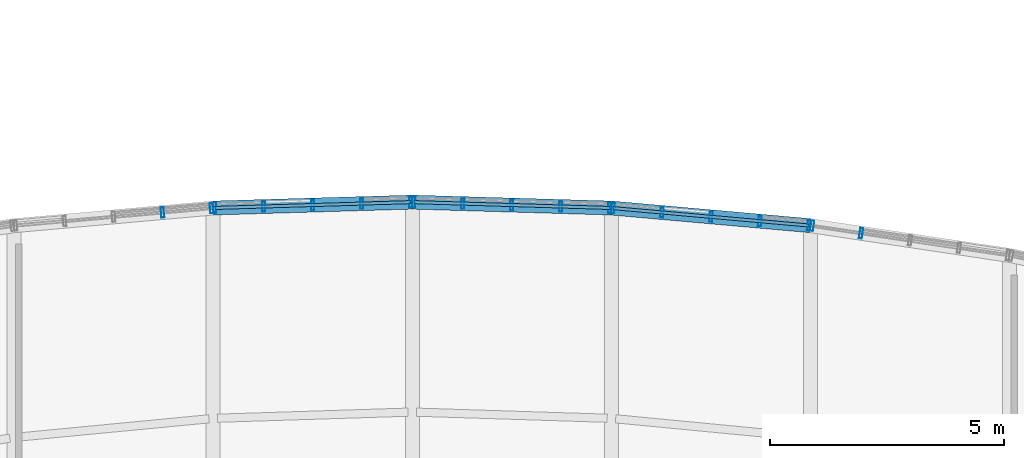
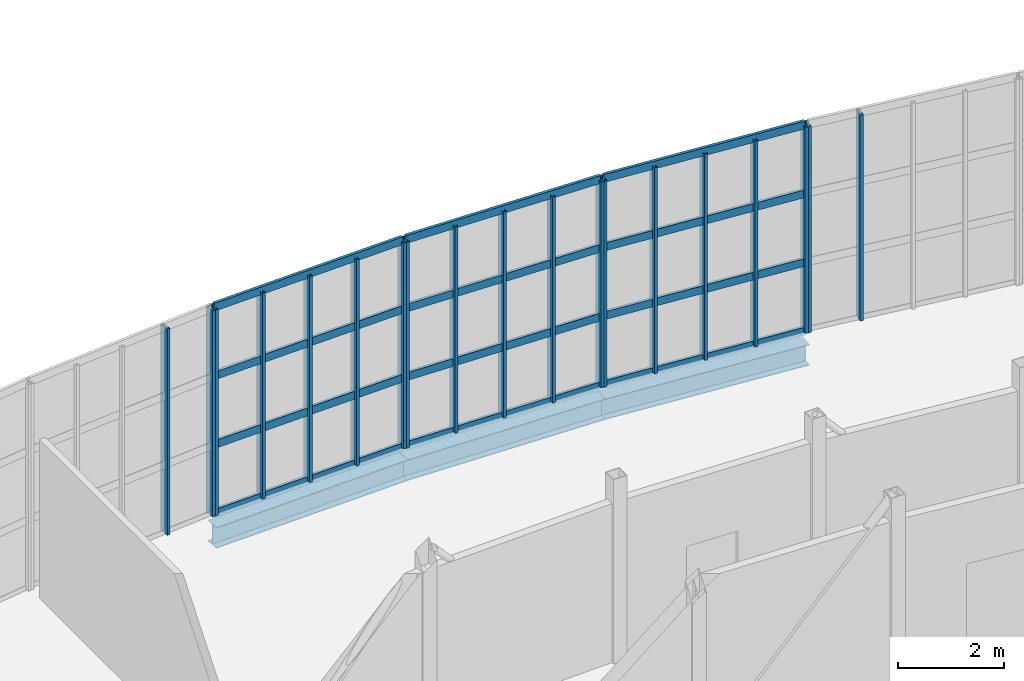
# One storey, part 27 of 66: 31 members, 3 beams, 5 elements without a shape of their own.
"""IFC4 building model written with IfcOpenShell, lengths in metres."""

from ifc_helpers import new_model, si_unit, direction, frame, origin, origin_2d, place, context, subcontext, project, spatial, hollow_rectangle, i_section, extrude, material, material_profile, profile_set, type_object, element, aggregate, save


model = new_model("IFC4")

# Units and contexts
model_context = context("Model", 3, precision=1e-05, world=origin(), true_north=direction((0.0, 1.0)))
body_context = subcontext(model_context, "Body", "Model", "MODEL_VIEW")
ifc_project = project(units=[si_unit("LENGTHUNIT", "METRE"), si_unit("AREAUNIT", "SQUARE_METRE"), si_unit("VOLUMEUNIT", "CUBIC_METRE"), si_unit("PLANEANGLEUNIT", "RADIAN"), si_unit("MASSUNIT", "GRAM", prefix="KILO")], contexts=[model_context])

# Site, building, storey
site_placement = place(None, origin())
site = spatial("IfcSite", under=ifc_project, at=site_placement, CompositionType="ELEMENT")
building_placement = place(site_placement, origin())
building = spatial("IfcBuilding", under=site, at=building_placement, Name="Solvikara Media Centre", CompositionType="ELEMENT")
storey_placement = place(building_placement, frame((0.0, 0.0, 19.800048828125)))
storey = spatial("IfcBuildingStorey", under=building, at=storey_placement, Name="L04", CompositionType="ELEMENT", Elevation=19.800048828125)

# Beams
ifc_material_1 = material(Name="Steel S355JR", Category="steel")
ifc_material_profile_1 = material_profile(ifc_material_1, i_section(OverallWidth=0.300048828125, OverallDepth=0.48193359375, WebThickness=0.010986328125, FlangeThickness=0.014892578125, at=origin_2d()), Name="WF 482x300x11x15")
ifc_profile_set_1 = profile_set([ifc_material_profile_1], Name="Steel S355JR")
beam_type = type_object("IfcBeamType", Name="BM-32", PredefinedType="SPANDREL", material=ifc_profile_set_1)
for number, where, z_axis, x_axis, name in (
    (1, (97.75, 41.341064453125, -0.463134765625), (0.99956097871, 0.029628530849, 0.0), (-0.029628530849, 0.99956097871, 0.0), "B-L04-NARC-05"),
    (2, (102.0, 41.467041015625, -0.463134765625), (0.99956097871, -0.029628530849, 0.0), (0.029628530849, 0.99956097871, 0.0), "B-L04-NARC-06"),
):
    element("IfcBeam", number, at=place(storey_placement, frame(where, z_axis=z_axis, x_axis=x_axis)), inside=storey, type_object=beam_type, Name=name, PredefinedType="SPANDREL", context=body_context, shape_type="SweptSolid", body=[
        extrude(i_section(OverallWidth=0.300048828125, OverallDepth=0.48193359375, WebThickness=0.010986328125, FlangeThickness=0.014892578125, at=origin_2d()), origin(), (0.0, 0.0, 1.0), 4.251953125),
    ])
beam_placement = place(storey_placement, frame((106.25, 41.341064453125, -0.463134765625), z_axis=(0.996089667749, -0.088348026597, 0.0), x_axis=(0.088348026597, 0.996089667749, 0.0)))
element("IfcBeam", 3, at=beam_placement, inside=storey, type_object=beam_type, Name="B-L04-NARC-07", PredefinedType="SPANDREL", context=body_context, shape_type="SweptSolid", body=[
    extrude(i_section(OverallWidth=0.300048828125, OverallDepth=0.48193359375, WebThickness=0.010986328125, FlangeThickness=0.014892578125, at=origin_2d()), origin(), (0.0, 0.0, 1.0), 4.2666015625),
])

# Curtain wall, members
ifc_material_2 = material(Name="Anodised aluminium EN AW-6063", Category="aluminium")
curtain_wall_type = type_object("IfcCurtainWallType", Name="CW-02", PredefinedType="NOTDEFINED", material=ifc_material_2)
curtain_wall_1_placement = place(storey_placement, origin())
curtain_wall_1 = element("IfcCurtainWall", 4, at=curtain_wall_1_placement, inside=storey, type_object=curtain_wall_type, Name="CW-L04-NARC-04", PredefinedType="NOTDEFINED")
ifc_material_profile_2 = material_profile(ifc_material_2, hollow_rectangle(XDim=0.06494140625, YDim=0.219970703125, WallThickness=0.00390625, at=origin_2d()), Name="ALU-M 65x220x4")
ifc_profile_set_2 = profile_set([ifc_material_profile_2], Name="Anodised aluminium EN AW-6063")
member_type_1 = type_object("IfcMemberType", Name="MF-01", PredefinedType="MULLION", material=ifc_profile_set_2)
member_1_placement = place(storey_placement, frame((96.669921875, 41.2451171875, 0.02001953125), z_axis=(0.0, 0.0, 1.0), x_axis=(0.99608438842, 0.088407528781, 0.0)))
member_1 = element("IfcMember", 5, at=member_1_placement, type_object=member_type_1, Name="CW-L04-NARC-04-M03", PredefinedType="MULLION", context=body_context, shape_type="SweptSolid", body=[
    extrude(hollow_rectangle(XDim=0.06494140625, YDim=0.219970703125, WallThickness=0.00390625, at=origin_2d()), origin(), (0.0, 0.0, 1.0), 4.760009765625),
])
member_2_placement = place(storey_placement, frame((97.715087890625, 41.337890625, 0.02001953125), z_axis=(0.0, 0.0, 1.0), x_axis=(0.99608438842, 0.088407528781, 0.0)))
member_2 = element("IfcMember", 6, at=member_2_placement, type_object=member_type_1, Name="CW-L04-NARC-04-M04", PredefinedType="MULLION", context=body_context, shape_type="SweptSolid", body=[
    extrude(hollow_rectangle(XDim=0.06494140625, YDim=0.219970703125, WallThickness=0.00390625, at=origin_2d()), origin(), (0.0, 0.0, 1.0), 4.760009765625),
])
aggregate(curtain_wall_1, [member_1, member_2])

curtain_wall_2_placement = place(storey_placement, origin())
curtain_wall_2 = element("IfcCurtainWall", 7, at=curtain_wall_2_placement, inside=storey, type_object=curtain_wall_type, Name="CW-L04-NARC-05", PredefinedType="NOTDEFINED")
member_3_placement = place(storey_placement, frame((97.784912109375, 41.342041015625, 0.02001953125), z_axis=(0.0, 0.0, 1.0), x_axis=(0.999560377741, 0.02964879847, 0.0)))
member_3 = element("IfcMember", 8, at=member_3_placement, type_object=member_type_1, Name="CW-L04-NARC-05-M00", PredefinedType="MULLION", context=body_context, shape_type="SweptSolid", body=[
    extrude(hollow_rectangle(XDim=0.06494140625, YDim=0.219970703125, WallThickness=0.00390625, at=origin_2d()), origin(), (0.0, 0.0, 1.0), 4.760009765625),
])
member_4_placement = place(storey_placement, frame((98.830078125, 41.373046875, 0.02001953125), z_axis=(0.0, 0.0, 1.0), x_axis=(0.999560377741, 0.02964879847, 0.0)))
member_4 = element("IfcMember", 9, at=member_4_placement, type_object=member_type_1, Name="CW-L04-NARC-05-M01", PredefinedType="MULLION", context=body_context, shape_type="SweptSolid", body=[
    extrude(hollow_rectangle(XDim=0.06494140625, YDim=0.219970703125, WallThickness=0.00390625, at=origin_2d()), origin(), (0.0, 0.0, 1.0), 4.760009765625),
])
member_5_placement = place(storey_placement, frame((99.875, 41.404052734375, 0.02001953125), z_axis=(0.0, 0.0, 1.0), x_axis=(0.999560377741, 0.02964879847, 0.0)))
member_5 = element("IfcMember", 10, at=member_5_placement, type_object=member_type_1, Name="CW-L04-NARC-05-M02", PredefinedType="MULLION", context=body_context, shape_type="SweptSolid", body=[
    extrude(hollow_rectangle(XDim=0.06494140625, YDim=0.219970703125, WallThickness=0.00390625, at=origin_2d()), origin(), (0.0, 0.0, 1.0), 4.760009765625),
])
member_6_placement = place(storey_placement, frame((100.919921875, 41.43505859375, 0.02001953125), z_axis=(0.0, 0.0, 1.0), x_axis=(0.999560377741, 0.02964879847, 0.0)))
member_6 = element("IfcMember", 11, at=member_6_placement, type_object=member_type_1, Name="CW-L04-NARC-05-M03", PredefinedType="MULLION", context=body_context, shape_type="SweptSolid", body=[
    extrude(hollow_rectangle(XDim=0.06494140625, YDim=0.219970703125, WallThickness=0.00390625, at=origin_2d()), origin(), (0.0, 0.0, 1.0), 4.760009765625),
])
member_7_placement = place(storey_placement, frame((101.965087890625, 41.466064453125, 0.02001953125), z_axis=(0.0, 0.0, 1.0), x_axis=(0.999560377741, 0.02964879847, 0.0)))
member_7 = element("IfcMember", 12, at=member_7_placement, type_object=member_type_1, Name="CW-L04-NARC-05-M04", PredefinedType="MULLION", context=body_context, shape_type="SweptSolid", body=[
    extrude(hollow_rectangle(XDim=0.06494140625, YDim=0.219970703125, WallThickness=0.00390625, at=origin_2d()), origin(), (0.0, 0.0, 1.0), 4.760009765625),
])

curtain_wall_3_placement = place(storey_placement, origin())
curtain_wall_3 = element("IfcCurtainWall", 13, at=curtain_wall_3_placement, inside=storey, type_object=curtain_wall_type, Name="CW-L04-NARC-06", PredefinedType="NOTDEFINED")
member_8_placement = place(storey_placement, frame((102.034912109375, 41.466064453125, 0.02001953125), z_axis=(0.0, 0.0, 1.0), x_axis=(0.999560377741, -0.02964879847, 0.0)))
member_8 = element("IfcMember", 14, at=member_8_placement, type_object=member_type_1, Name="CW-L04-NARC-06-M00", PredefinedType="MULLION", context=body_context, shape_type="SweptSolid", body=[
    extrude(hollow_rectangle(XDim=0.06494140625, YDim=0.219970703125, WallThickness=0.00390625, at=origin_2d()), origin(), (0.0, 0.0, 1.0), 4.760009765625),
])
member_9_placement = place(storey_placement, frame((103.080078125, 41.43505859375, 0.02001953125), z_axis=(0.0, 0.0, 1.0), x_axis=(0.999560377741, -0.02964879847, 0.0)))
member_9 = element("IfcMember", 15, at=member_9_placement, type_object=member_type_1, Name="CW-L04-NARC-06-M01", PredefinedType="MULLION", context=body_context, shape_type="SweptSolid", body=[
    extrude(hollow_rectangle(XDim=0.06494140625, YDim=0.219970703125, WallThickness=0.00390625, at=origin_2d()), origin(), (0.0, 0.0, 1.0), 4.760009765625),
])
member_10_placement = place(storey_placement, frame((104.125, 41.404052734375, 0.02001953125), z_axis=(0.0, 0.0, 1.0), x_axis=(0.999560377741, -0.02964879847, 0.0)))
member_10 = element("IfcMember", 16, at=member_10_placement, type_object=member_type_1, Name="CW-L04-NARC-06-M02", PredefinedType="MULLION", context=body_context, shape_type="SweptSolid", body=[
    extrude(hollow_rectangle(XDim=0.06494140625, YDim=0.219970703125, WallThickness=0.00390625, at=origin_2d()), origin(), (0.0, 0.0, 1.0), 4.760009765625),
])
member_11_placement = place(storey_placement, frame((105.169921875, 41.373046875, 0.02001953125), z_axis=(0.0, 0.0, 1.0), x_axis=(0.999560377741, -0.02964879847, 0.0)))
member_11 = element("IfcMember", 17, at=member_11_placement, type_object=member_type_1, Name="CW-L04-NARC-06-M03", PredefinedType="MULLION", context=body_context, shape_type="SweptSolid", body=[
    extrude(hollow_rectangle(XDim=0.06494140625, YDim=0.219970703125, WallThickness=0.00390625, at=origin_2d()), origin(), (0.0, 0.0, 1.0), 4.760009765625),
])
member_12_placement = place(storey_placement, frame((106.215087890625, 41.342041015625, 0.02001953125), z_axis=(0.0, 0.0, 1.0), x_axis=(0.999560377741, -0.02964879847, 0.0)))
member_12 = element("IfcMember", 18, at=member_12_placement, type_object=member_type_1, Name="CW-L04-NARC-06-M04", PredefinedType="MULLION", context=body_context, shape_type="SweptSolid", body=[
    extrude(hollow_rectangle(XDim=0.06494140625, YDim=0.219970703125, WallThickness=0.00390625, at=origin_2d()), origin(), (0.0, 0.0, 1.0), 4.760009765625),
])

curtain_wall_4_placement = place(storey_placement, origin())
curtain_wall_4 = element("IfcCurtainWall", 19, at=curtain_wall_4_placement, inside=storey, type_object=curtain_wall_type, Name="CW-L04-NARC-07", PredefinedType="NOTDEFINED")
member_13_placement = place(storey_placement, frame((106.284912109375, 41.337890625, 0.02001953125), z_axis=(0.0, 0.0, 1.0), x_axis=(0.99608438842, -0.088407528781, 0.0)))
member_13 = element("IfcMember", 20, at=member_13_placement, type_object=member_type_1, Name="CW-L04-NARC-07-M00", PredefinedType="MULLION", context=body_context, shape_type="SweptSolid", body=[
    extrude(hollow_rectangle(XDim=0.06494140625, YDim=0.219970703125, WallThickness=0.00390625, at=origin_2d()), origin(), (0.0, 0.0, 1.0), 4.760009765625),
])
member_14_placement = place(storey_placement, frame((107.330078125, 41.2451171875, 0.02001953125), z_axis=(0.0, 0.0, 1.0), x_axis=(0.99608438842, -0.088407528781, 0.0)))
member_14 = element("IfcMember", 21, at=member_14_placement, type_object=member_type_1, Name="CW-L04-NARC-07-M01", PredefinedType="MULLION", context=body_context, shape_type="SweptSolid", body=[
    extrude(hollow_rectangle(XDim=0.06494140625, YDim=0.219970703125, WallThickness=0.00390625, at=origin_2d()), origin(), (0.0, 0.0, 1.0), 4.760009765625),
])
member_15_placement = place(storey_placement, frame((108.375, 41.153076171875, 0.02001953125), z_axis=(0.0, 0.0, 1.0), x_axis=(0.99608438842, -0.088407528781, 0.0)))
member_15 = element("IfcMember", 22, at=member_15_placement, type_object=member_type_1, Name="CW-L04-NARC-07-M02", PredefinedType="MULLION", context=body_context, shape_type="SweptSolid", body=[
    extrude(hollow_rectangle(XDim=0.06494140625, YDim=0.219970703125, WallThickness=0.00390625, at=origin_2d()), origin(), (0.0, 0.0, 1.0), 4.760009765625),
])
member_16_placement = place(storey_placement, frame((109.419921875, 41.06005859375, 0.02001953125), z_axis=(0.0, 0.0, 1.0), x_axis=(0.99608438842, -0.088407528781, 0.0)))
member_16 = element("IfcMember", 23, at=member_16_placement, type_object=member_type_1, Name="CW-L04-NARC-07-M03", PredefinedType="MULLION", context=body_context, shape_type="SweptSolid", body=[
    extrude(hollow_rectangle(XDim=0.06494140625, YDim=0.219970703125, WallThickness=0.00390625, at=origin_2d()), origin(), (0.0, 0.0, 1.0), 4.760009765625),
])
member_17_placement = place(storey_placement, frame((110.465087890625, 40.967041015625, 0.02001953125), z_axis=(0.0, 0.0, 1.0), x_axis=(0.99608438842, -0.088407528781, 0.0)))
member_17 = element("IfcMember", 24, at=member_17_placement, type_object=member_type_1, Name="CW-L04-NARC-07-M04", PredefinedType="MULLION", context=body_context, shape_type="SweptSolid", body=[
    extrude(hollow_rectangle(XDim=0.06494140625, YDim=0.219970703125, WallThickness=0.00390625, at=origin_2d()), origin(), (0.0, 0.0, 1.0), 4.760009765625),
])

curtain_wall_5_placement = place(storey_placement, origin())
curtain_wall_5 = element("IfcCurtainWall", 25, at=curtain_wall_5_placement, inside=storey, type_object=curtain_wall_type, Name="CW-L04-NARC-08", PredefinedType="NOTDEFINED")
member_18_placement = place(storey_placement, frame((110.534912109375, 40.958984375, 0.02001953125), z_axis=(0.0, 0.0, 1.0), x_axis=(0.989005541908, -0.147878457102, 0.0)))
member_18 = element("IfcMember", 26, at=member_18_placement, type_object=member_type_1, Name="CW-L04-NARC-08-M00", PredefinedType="MULLION", context=body_context, shape_type="SweptSolid", body=[
    extrude(hollow_rectangle(XDim=0.06494140625, YDim=0.219970703125, WallThickness=0.00390625, at=origin_2d()), origin(), (0.0, 0.0, 1.0), 4.760009765625),
])
member_19_placement = place(storey_placement, frame((111.580078125, 40.802978515625, 0.02001953125), z_axis=(0.0, 0.0, 1.0), x_axis=(0.989005541908, -0.147878457102, 0.0)))
member_19 = element("IfcMember", 27, at=member_19_placement, type_object=member_type_1, Name="CW-L04-NARC-08-M01", PredefinedType="MULLION", context=body_context, shape_type="SweptSolid", body=[
    extrude(hollow_rectangle(XDim=0.06494140625, YDim=0.219970703125, WallThickness=0.00390625, at=origin_2d()), origin(), (0.0, 0.0, 1.0), 4.760009765625),
])
aggregate(curtain_wall_5, [member_18, member_19])

# Member
ifc_material_profile_3 = material_profile(ifc_material_2, hollow_rectangle(XDim=0.06494140625, YDim=0.179931640625, WallThickness=0.00341796875, at=origin_2d()), Name="ALU-T 65x180x3.5")
ifc_profile_set_3 = profile_set([ifc_material_profile_3], Name="Anodised aluminium EN AW-6063")
member_type_2 = type_object("IfcMemberType", Name="MF-07", PredefinedType="USERDEFINED", material=ifc_profile_set_3)
member_20_placement = place(storey_placement, frame((97.784912109375, 41.342041015625, 0.02001953125), z_axis=(0.999560152797, 0.029656381125, 0.0), x_axis=(-0.029656381125, 0.999560152797, 0.0)))
member_20 = element("IfcMember", 28, at=member_20_placement, type_object=member_type_2, Name="CW-L04-NARC-05-T00", ObjectType="TRANSOM", PredefinedType="USERDEFINED", context=body_context, shape_type="SweptSolid", body=[
    extrude(hollow_rectangle(XDim=0.06494140625, YDim=0.179931640625, WallThickness=0.00341796875, at=origin_2d()), origin(), (0.0, 0.0, 1.0), 4.18212890625),
])

member_21_placement = place(storey_placement, frame((97.784912109375, 41.342041015625, 1.60693359375), z_axis=(0.999560152797, 0.029656381125, 0.0), x_axis=(-0.029656381125, 0.999560152797, 0.0)))
member_21 = element("IfcMember", 29, at=member_21_placement, type_object=member_type_2, Name="CW-L04-NARC-05-T01", ObjectType="TRANSOM", PredefinedType="USERDEFINED", context=body_context, shape_type="SweptSolid", body=[
    extrude(hollow_rectangle(XDim=0.06494140625, YDim=0.179931640625, WallThickness=0.00341796875, at=origin_2d()), origin(), (0.0, 0.0, 1.0), 4.18212890625),
])

member_22_placement = place(storey_placement, frame((97.784912109375, 41.342041015625, 3.19287109375), z_axis=(0.999560152797, 0.029656381125, 0.0), x_axis=(-0.029656381125, 0.999560152797, 0.0)))
member_22 = element("IfcMember", 30, at=member_22_placement, type_object=member_type_2, Name="CW-L04-NARC-05-T02", ObjectType="TRANSOM", PredefinedType="USERDEFINED", context=body_context, shape_type="SweptSolid", body=[
    extrude(hollow_rectangle(XDim=0.06494140625, YDim=0.179931640625, WallThickness=0.00341796875, at=origin_2d()), origin(), (0.0, 0.0, 1.0), 4.18212890625),
])

member_23_placement = place(storey_placement, frame((97.784912109375, 41.342041015625, 4.780029296875), z_axis=(0.999560152797, 0.029656381125, 0.0), x_axis=(-0.029656381125, 0.999560152797, 0.0)))
member_23 = element("IfcMember", 31, at=member_23_placement, type_object=member_type_2, Name="CW-L04-NARC-05-T03", ObjectType="TRANSOM", PredefinedType="USERDEFINED", context=body_context, shape_type="SweptSolid", body=[
    extrude(hollow_rectangle(XDim=0.06494140625, YDim=0.179931640625, WallThickness=0.00341796875, at=origin_2d()), origin(), (0.0, 0.0, 1.0), 4.18212890625),
])

aggregate(curtain_wall_2, [member_3, member_4, member_5, member_6, member_7, member_20, member_21, member_22, member_23])

member_24_placement = place(storey_placement, frame((102.034912109375, 41.466064453125, 0.02001953125), z_axis=(0.999560152797, -0.029656381125, 0.0), x_axis=(0.029656381125, 0.999560152797, 0.0)))
member_24 = element("IfcMember", 32, at=member_24_placement, type_object=member_type_2, Name="CW-L04-NARC-06-T00", ObjectType="TRANSOM", PredefinedType="USERDEFINED", context=body_context, shape_type="SweptSolid", body=[
    extrude(hollow_rectangle(XDim=0.06494140625, YDim=0.179931640625, WallThickness=0.00341796875, at=origin_2d()), origin(), (0.0, 0.0, 1.0), 4.18212890625),
])

member_25_placement = place(storey_placement, frame((102.034912109375, 41.466064453125, 1.60693359375), z_axis=(0.999560152797, -0.029656381125, 0.0), x_axis=(0.029656381125, 0.999560152797, 0.0)))
member_25 = element("IfcMember", 33, at=member_25_placement, type_object=member_type_2, Name="CW-L04-NARC-06-T01", ObjectType="TRANSOM", PredefinedType="USERDEFINED", context=body_context, shape_type="SweptSolid", body=[
    extrude(hollow_rectangle(XDim=0.06494140625, YDim=0.179931640625, WallThickness=0.00341796875, at=origin_2d()), origin(), (0.0, 0.0, 1.0), 4.18212890625),
])

member_26_placement = place(storey_placement, frame((102.034912109375, 41.466064453125, 3.19287109375), z_axis=(0.999560152797, -0.029656381125, 0.0), x_axis=(0.029656381125, 0.999560152797, 0.0)))
member_26 = element("IfcMember", 34, at=member_26_placement, type_object=member_type_2, Name="CW-L04-NARC-06-T02", ObjectType="TRANSOM", PredefinedType="USERDEFINED", context=body_context, shape_type="SweptSolid", body=[
    extrude(hollow_rectangle(XDim=0.06494140625, YDim=0.179931640625, WallThickness=0.00341796875, at=origin_2d()), origin(), (0.0, 0.0, 1.0), 4.18212890625),
])

member_27_placement = place(storey_placement, frame((102.034912109375, 41.466064453125, 4.780029296875), z_axis=(0.999560152797, -0.029656381125, 0.0), x_axis=(0.029656381125, 0.999560152797, 0.0)))
member_27 = element("IfcMember", 35, at=member_27_placement, type_object=member_type_2, Name="CW-L04-NARC-06-T03", ObjectType="TRANSOM", PredefinedType="USERDEFINED", context=body_context, shape_type="SweptSolid", body=[
    extrude(hollow_rectangle(XDim=0.06494140625, YDim=0.179931640625, WallThickness=0.00341796875, at=origin_2d()), origin(), (0.0, 0.0, 1.0), 4.18212890625),
])

aggregate(curtain_wall_3, [member_8, member_9, member_10, member_11, member_12, member_24, member_25, member_26, member_27])

member_28_placement = place(storey_placement, frame((106.284912109375, 41.337890625, 0.02001953125), z_axis=(0.996087790013, -0.08836919478, 0.0), x_axis=(0.08836919478, 0.996087790013, 0.0)))
member_28 = element("IfcMember", 36, at=member_28_placement, type_object=member_type_2, Name="CW-L04-NARC-07-T00", ObjectType="TRANSOM", PredefinedType="USERDEFINED", context=body_context, shape_type="SweptSolid", body=[
    extrude(hollow_rectangle(XDim=0.06494140625, YDim=0.179931640625, WallThickness=0.00341796875, at=origin_2d()), origin(), (0.0, 0.0, 1.0), 4.196533203125),
])

member_29_placement = place(storey_placement, frame((106.284912109375, 41.337890625, 1.60693359375), z_axis=(0.996087790013, -0.08836919478, 0.0), x_axis=(0.08836919478, 0.996087790013, 0.0)))
member_29 = element("IfcMember", 37, at=member_29_placement, type_object=member_type_2, Name="CW-L04-NARC-07-T01", ObjectType="TRANSOM", PredefinedType="USERDEFINED", context=body_context, shape_type="SweptSolid", body=[
    extrude(hollow_rectangle(XDim=0.06494140625, YDim=0.179931640625, WallThickness=0.00341796875, at=origin_2d()), origin(), (0.0, 0.0, 1.0), 4.196533203125),
])

member_30_placement = place(storey_placement, frame((106.284912109375, 41.337890625, 3.19287109375), z_axis=(0.996087790013, -0.08836919478, 0.0), x_axis=(0.08836919478, 0.996087790013, 0.0)))
member_30 = element("IfcMember", 38, at=member_30_placement, type_object=member_type_2, Name="CW-L04-NARC-07-T02", ObjectType="TRANSOM", PredefinedType="USERDEFINED", context=body_context, shape_type="SweptSolid", body=[
    extrude(hollow_rectangle(XDim=0.06494140625, YDim=0.179931640625, WallThickness=0.00341796875, at=origin_2d()), origin(), (0.0, 0.0, 1.0), 4.196533203125),
])

member_31_placement = place(storey_placement, frame((106.284912109375, 41.337890625, 4.780029296875), z_axis=(0.996087790013, -0.08836919478, 0.0), x_axis=(0.08836919478, 0.996087790013, 0.0)))
member_31 = element("IfcMember", 39, at=member_31_placement, type_object=member_type_2, Name="CW-L04-NARC-07-T03", ObjectType="TRANSOM", PredefinedType="USERDEFINED", context=body_context, shape_type="SweptSolid", body=[
    extrude(hollow_rectangle(XDim=0.06494140625, YDim=0.179931640625, WallThickness=0.00341796875, at=origin_2d()), origin(), (0.0, 0.0, 1.0), 4.196533203125),
])

aggregate(curtain_wall_4, [member_13, member_14, member_15, member_16, member_17, member_28, member_29, member_30, member_31])

save(model, "model.ifc")
